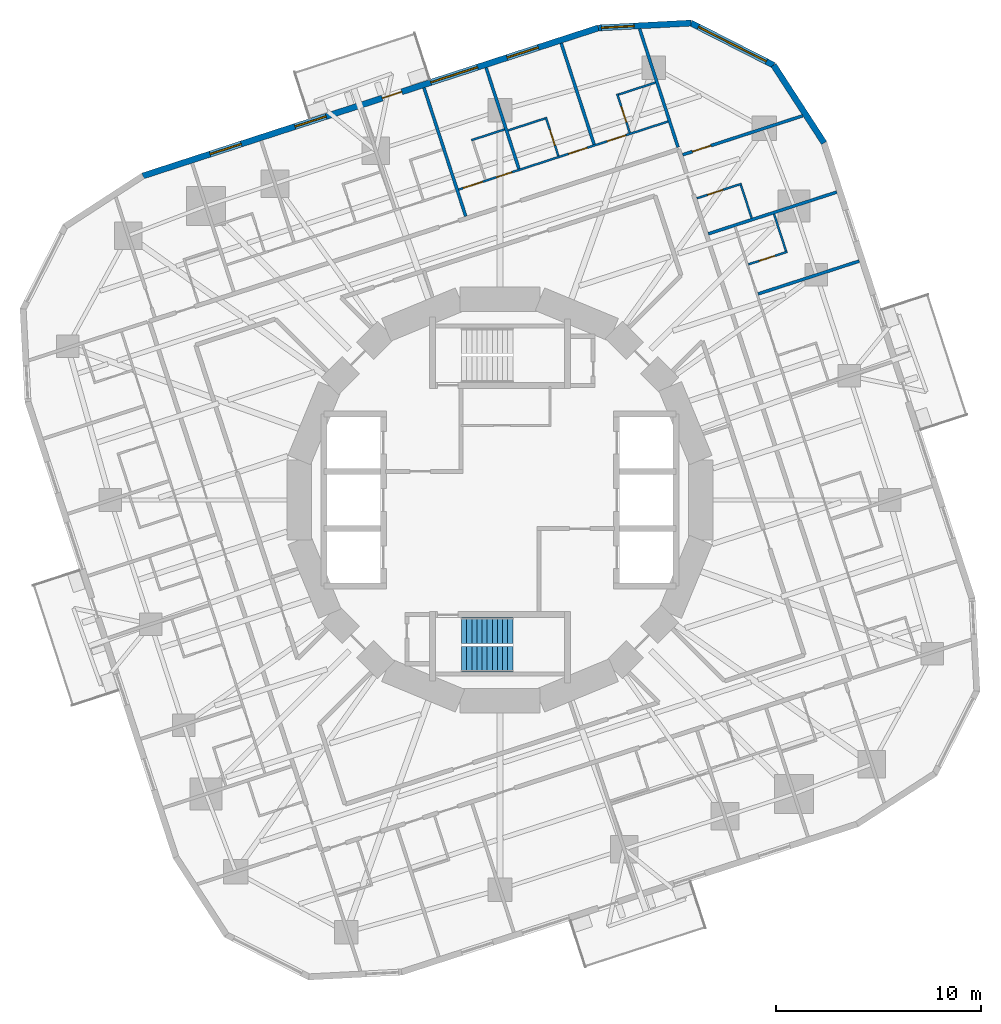
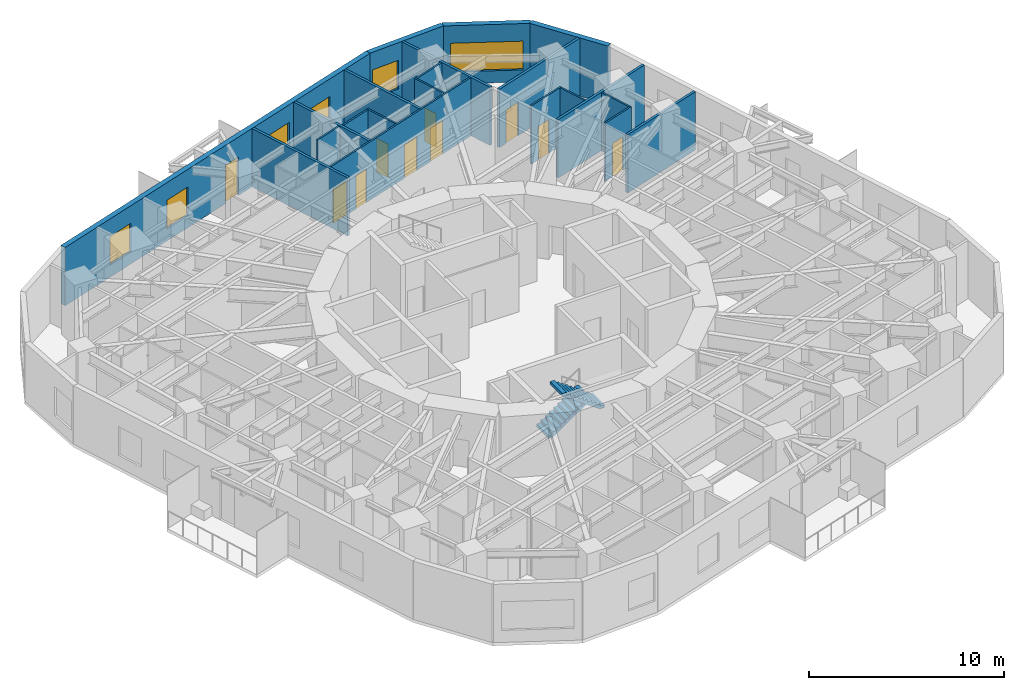
# One storey, part 10 of 13: 21 walls, 10 doors, 6 windows, 2 stair flights, 16 openings, 1 element without a shape of its own.
"""IFC4 building model written with IfcOpenShell, lengths in metres."""

from ifc_helpers import new_model, si_unit, direction, frame, frame_2d, origin, place, context, subcontext, project, spatial, polyline, rectangle, outline, extrude, material, layer, layer_set, type_object, element, fill, aggregate, save


model = new_model("IFC4")

# Units and contexts
model_context = context("Model", 3, precision=1e-05, world=origin(), true_north=direction((0.0, 1.0)))
body_context = subcontext(model_context, "Body", "Model", "MODEL_VIEW")
ifc_project = project(units=[si_unit("LENGTHUNIT", "METRE"), si_unit("AREAUNIT", "SQUARE_METRE"), si_unit("VOLUMEUNIT", "CUBIC_METRE"), si_unit("PLANEANGLEUNIT", "RADIAN"), si_unit("MASSUNIT", "GRAM", prefix="KILO")], contexts=[model_context])

# Site, building, storey
site_placement = place(None, origin())
site = spatial("IfcSite", under=ifc_project, at=site_placement, CompositionType="ELEMENT")
building_placement = place(site_placement, origin())
building = spatial("IfcBuilding", under=site, at=building_placement, Name="Nakasero Lantern House", CompositionType="ELEMENT")
storey_placement = place(building_placement, frame((0.0, 0.0, 164.89990234375)))
storey = spatial("IfcBuildingStorey", under=building, at=storey_placement, Name="L40", CompositionType="ELEMENT", Elevation=164.89990234375)

# Wall, openings, doors
ifc_material_1 = material(Name="Blockwork", Category="masonry")
ifc_layer_1 = layer(ifc_material_1, 0.10009765625)
ifc_layer_set_1 = layer_set([ifc_layer_1], Name="Cluster hall wall 100")
wall_type_1 = type_object("IfcWallType", Name="Cluster hall wall 100", PredefinedType="PARTITIONING", material=ifc_layer_set_1)
wall_1_placement = place(storey_placement, frame((8.21240234375, 18.492919921875, 0.0), z_axis=(0.0, 0.0, 1.0), x_axis=(-0.951054746376, -0.309022441572, 0.0)))
wall_1 = element("IfcWall", 1, at=wall_1_placement, inside=storey, type_object=wall_type_1, Name="Cluster hall wall L40 HW1-0", PredefinedType="PARTITIONING", context=body_context, shape_type="SweptSolid", body=[
    extrude(rectangle(XDim=10.758056640625, YDim=0.10009765625, at=frame_2d((5.37890625, 0.0))), origin(), (0.0, 0.0, 1.0), 3.650146484375),
])
opening_1_placement = place(wall_1_placement, frame((9.532958984375, 0.0, 0.0)))
opening_1 = element("IfcOpeningElement", 2, at=opening_1_placement, cuts=wall_1, Name="Opening D03", PredefinedType="OPENING", context=body_context, shape_type="SweptSolid", body=[
    extrude(rectangle(XDim=1.0, YDim=2.10009765625, at=frame_2d((0.5, 1.050048828125))), frame((0.0, 0.070068359375, 0.0), z_axis=(0.0, -1.0, 0.0), x_axis=(1.0, 0.0, 0.0)), (0.0, 0.0, 1.0), 0.14013671875),
])
opening_2_placement = place(wall_1_placement, frame((8.01904296875, 0.0, 0.0)))
opening_2 = element("IfcOpeningElement", 3, at=opening_2_placement, cuts=wall_1, Name="Opening D02", PredefinedType="OPENING", context=body_context, shape_type="SweptSolid", body=[
    extrude(rectangle(XDim=0.800048828125, YDim=2.10009765625, at=frame_2d((0.39990234375, 1.050048828125))), frame((0.0, 0.070068359375, 0.0), z_axis=(0.0, -1.0, 0.0), x_axis=(1.0, 0.0, 0.0)), (0.0, 0.0, 1.0), 0.14013671875),
])
opening_3_placement = place(wall_1_placement, frame((2.175048828125, 0.0, 0.0)))
opening_3 = element("IfcOpeningElement", 4, at=opening_3_placement, cuts=wall_1, Name="Opening D01", PredefinedType="OPENING", context=body_context, shape_type="SweptSolid", body=[
    extrude(rectangle(XDim=0.949951171875, YDim=2.10009765625, at=frame_2d((0.47509765625, 1.050048828125))), frame((0.0, 0.070068359375, 0.0), z_axis=(0.0, -1.0, 0.0), x_axis=(1.0, 0.0, 0.0)), (0.0, 0.0, 1.0), 0.14013671875),
])
opening_4_placement = place(wall_1_placement, frame((4.159423828125, 0.0, 0.0)))
opening_4 = element("IfcOpeningElement", 5, at=opening_4_placement, cuts=wall_1, Name="Opening D01", PredefinedType="OPENING", context=body_context, shape_type="SweptSolid", body=[
    extrude(rectangle(XDim=0.949951171875, YDim=2.10009765625, at=frame_2d((0.47509765625, 1.050048828125))), frame((0.0, 0.070068359375, 0.0), z_axis=(0.0, -1.0, 0.0), x_axis=(1.0, 0.0, 0.0)), (0.0, 0.0, 1.0), 0.14013671875),
])
ifc_material_2 = material(Name="Timber C24", Category="wood")
door_type_1 = type_object("IfcDoorType", Name="Bedroom door FD30S 950", OperationType="SINGLE_SWING_LEFT", PredefinedType="DOOR", material=ifc_material_2)
door_1_placement = place(opening_3_placement, origin())
door_1 = element("IfcDoor", 6, at=door_1_placement, inside=storey, type_object=door_type_1, Name="Door L40 D1-00", OperationType="SINGLE_SWING_LEFT", OverallHeight=2.10009765625, OverallWidth=0.949951171875, PredefinedType="DOOR", context=body_context, shape_type="SweptSolid", body=[
    extrude(rectangle(XDim=0.949951171875, YDim=2.10009765625, at=frame_2d((0.47509765625, 1.050048828125))), frame((0.0, 0.02490234375, 0.0), z_axis=(0.0, -1.0, 0.0), x_axis=(1.0, 0.0, 0.0)), (0.0, 0.0, 1.0), 0.050048828125),
])
fill(opening_3, door_1)
door_2_placement = place(opening_4_placement, origin())
door_2 = element("IfcDoor", 7, at=door_2_placement, inside=storey, type_object=door_type_1, Name="Door L40 D1-01", OperationType="SINGLE_SWING_LEFT", OverallHeight=2.10009765625, OverallWidth=0.949951171875, PredefinedType="DOOR", context=body_context, shape_type="SweptSolid", body=[
    extrude(rectangle(XDim=0.949951171875, YDim=2.10009765625, at=frame_2d((0.47509765625, 1.050048828125))), frame((0.0, 0.02490234375, 0.0), z_axis=(0.0, -1.0, 0.0), x_axis=(1.0, 0.0, 0.0)), (0.0, 0.0, 1.0), 0.050048828125),
])
fill(opening_4, door_2)
ifc_material_3 = material(Name="Timber C24", Category="wood")
door_type_2 = type_object("IfcDoorType", Name="En-suite door 800", OperationType="SINGLE_SWING_RIGHT", PredefinedType="DOOR", material=ifc_material_3)
door_3_placement = place(opening_2_placement, origin())
door_3 = element("IfcDoor", 8, at=door_3_placement, inside=storey, type_object=door_type_2, Name="Door L40 DSH1-0", OperationType="SINGLE_SWING_RIGHT", OverallHeight=2.10009765625, OverallWidth=0.800048828125, PredefinedType="DOOR", context=body_context, shape_type="SweptSolid", body=[
    extrude(rectangle(XDim=0.800048828125, YDim=2.10009765625, at=frame_2d((0.39990234375, 1.050048828125))), frame((0.0, 0.02490234375, 0.0), z_axis=(0.0, -1.0, 0.0), x_axis=(1.0, 0.0, 0.0)), (0.0, 0.0, 1.0), 0.050048828125),
])
fill(opening_2, door_3)
ifc_material_4 = material(Name="Timber C24", Category="wood")
door_type_3 = type_object("IfcDoorType", Name="Lounge door FD30S 1000", OperationType="SINGLE_SWING_LEFT", PredefinedType="DOOR", material=ifc_material_4)
door_4_placement = place(opening_1_placement, origin())
door_4 = element("IfcDoor", 9, at=door_4_placement, inside=storey, type_object=door_type_3, Name="Door L40 DH1-0", OperationType="SINGLE_SWING_RIGHT", OverallHeight=2.10009765625, OverallWidth=1.0, PredefinedType="DOOR", context=body_context, shape_type="SweptSolid", body=[
    extrude(rectangle(XDim=1.0, YDim=2.10009765625, at=frame_2d((0.5, 1.050048828125))), frame((0.0, 0.02490234375, 0.0), z_axis=(0.0, -1.0, 0.0), x_axis=(1.0, 0.0, 0.0)), (0.0, 0.0, 1.0), 0.050048828125),
])
fill(opening_1, door_4)

# Wall, opening, door
ifc_material_5 = material(Name="Blockwork", Category="masonry")
ifc_layer_2 = layer(ifc_material_5, 0.10009765625)
ifc_layer_set_2 = layer_set([ifc_layer_2], Name="En-suite wall 100")
wall_type_2 = type_object("IfcWallType", Name="En-suite wall 100", PredefinedType="PARTITIONING", material=ifc_layer_set_2)
wall_2_placement = place(storey_placement, frame((12.13671875, 11.51123046875, 0.0), z_axis=(0.0, 0.0, 1.0), x_axis=(0.951048418938, 0.309041914367, 0.0)))
wall_2 = element("IfcWall", 10, at=wall_2_placement, inside=storey, type_object=wall_type_2, Name="En-suite wall L40 ES0-05", PredefinedType="PARTITIONING", context=body_context, shape_type="SweptSolid", body=[
    extrude(rectangle(XDim=2.000244140625, YDim=0.10009765625, at=frame_2d((1.0, 0.0))), origin(), (0.0, 0.0, 1.0), 3.650146484375),
])
opening_5_placement = place(wall_2_placement, frame((0.550048828125, 0.0, 0.0)))
opening_5 = element("IfcOpeningElement", 11, at=opening_5_placement, cuts=wall_2, Name="Opening D02", PredefinedType="OPENING", context=body_context, shape_type="SweptSolid", body=[
    extrude(rectangle(XDim=0.800048828125, YDim=2.10009765625, at=frame_2d((0.39990234375, 1.050048828125))), frame((0.0, 0.070068359375, 0.0), z_axis=(0.0, -1.0, 0.0), x_axis=(1.0, 0.0, 0.0)), (0.0, 0.0, 1.0), 0.14013671875),
])
door_5_placement = place(opening_5_placement, origin())
door_5 = element("IfcDoor", 12, at=door_5_placement, inside=storey, type_object=door_type_2, Name="Door L40 DE0-05", OperationType="SINGLE_SWING_LEFT", OverallHeight=2.10009765625, OverallWidth=0.800048828125, PredefinedType="DOOR", context=body_context, shape_type="SweptSolid", body=[
    extrude(rectangle(XDim=0.800048828125, YDim=2.10009765625, at=frame_2d((0.39990234375, 1.050048828125))), frame((0.0, 0.02490234375, 0.0), z_axis=(0.0, -1.0, 0.0), x_axis=(1.0, 0.0, 0.0)), (0.0, 0.0, 1.0), 0.050048828125),
])
fill(opening_5, door_5)

# Wall
wall_3_placement = place(storey_placement, frame((13.975830078125, 12.161376953125, 0.0), z_axis=(0.0, 0.0, 1.0), x_axis=(-0.308894308917, 0.951096370469, 0.0)))
element("IfcWall", 13, at=wall_3_placement, inside=storey, type_object=wall_type_2, Name="En-suite wall L40 EE0-05", PredefinedType="PARTITIONING", context=body_context, shape_type="SweptSolid", body=[
    extrude(rectangle(XDim=1.900146484375, YDim=0.10009765625, at=frame_2d((0.9501953125, 0.0))), origin(), (0.0, 0.0, 1.0), 3.650146484375),
])

# Wall, opening, door
wall_4_placement = place(storey_placement, frame((9.61572265625, 14.740234375, 0.0), z_axis=(0.0, 0.0, 1.0), x_axis=(0.951055129775, 0.309021261611, 0.0)))
wall_4 = element("IfcWall", 14, at=wall_4_placement, inside=storey, type_object=wall_type_2, Name="En-suite wall L40 ES0-06", PredefinedType="PARTITIONING", context=body_context, shape_type="SweptSolid", body=[
    extrude(rectangle(XDim=2.2998046875, YDim=0.10009765625, at=frame_2d((1.14990234375, 0.0))), origin(), (0.0, 0.0, 1.0), 3.650146484375),
])
opening_6_placement = place(wall_4_placement, frame((0.550048828125, 0.0, 0.0)))
opening_6 = element("IfcOpeningElement", 15, at=opening_6_placement, cuts=wall_4, Name="Opening D02", PredefinedType="OPENING", context=body_context, shape_type="SweptSolid", body=[
    extrude(rectangle(XDim=0.800048828125, YDim=2.10009765625, at=frame_2d((0.39990234375, 1.050048828125))), frame((0.0, 0.070068359375, 0.0), z_axis=(0.0, -1.0, 0.0), x_axis=(1.0, 0.0, 0.0)), (0.0, 0.0, 1.0), 0.14013671875),
])
door_6_placement = place(opening_6_placement, origin())
door_6 = element("IfcDoor", 16, at=door_6_placement, inside=storey, type_object=door_type_2, Name="Door L40 DE0-06", OperationType="SINGLE_SWING_LEFT", OverallHeight=2.10009765625, OverallWidth=0.800048828125, PredefinedType="DOOR", context=body_context, shape_type="SweptSolid", body=[
    extrude(rectangle(XDim=0.800048828125, YDim=2.10009765625, at=frame_2d((0.39990234375, 1.050048828125))), frame((0.0, 0.02490234375, 0.0), z_axis=(0.0, -1.0, 0.0), x_axis=(1.0, 0.0, 0.0)), (0.0, 0.0, 1.0), 0.050048828125),
])
fill(opening_6, door_6)

# Walls
for number, where, z_axis, x_axis, name in (
    (17, (12.29638671875, 13.771240234375, 0.0), (0.0, 0.0, 1.0), (-0.309066587596, 0.951040401051, 0.0), "En-suite wall L40 EE0-06"),
    (18, (0.22216796875, 18.104736328125, 0.0), (0.0, 0.0, 1.0), (-0.951040401051, -0.309066587596, 0.0), "En-suite wall L40 SE1-0"),
):
    element("IfcWall", number, at=place(storey_placement, frame(where, z_axis=z_axis, x_axis=x_axis)), inside=storey, type_object=wall_type_2, Name=name, PredefinedType="PARTITIONING", context=body_context, shape_type="SweptSolid", body=[
        extrude(rectangle(XDim=1.699951171875, YDim=0.10009765625, at=frame_2d((0.85009765625, 0.0))), origin(), (0.0, 0.0, 1.0), 3.650146484375),
    ])

# Wall, opening, door
wall_5_placement = place(storey_placement, frame((6.34228515625, 17.937744140625, 0.0), z_axis=(0.0, 0.0, 1.0), x_axis=(-0.308967378027, 0.951072636193, 0.0)))
wall_5 = element("IfcWall", 19, at=wall_5_placement, inside=storey, type_object=wall_type_2, Name="En-suite wall L40 ES1-00", PredefinedType="PARTITIONING", context=body_context, shape_type="SweptSolid", body=[
    extrude(rectangle(XDim=2.0, YDim=0.10009765625, at=frame_2d((1.0, 0.0))), origin(), (0.0, 0.0, 1.0), 3.650146484375),
])
opening_7_placement = place(wall_5_placement, frame((0.550048828125, 0.0, 0.0)))
opening_7 = element("IfcOpeningElement", 20, at=opening_7_placement, cuts=wall_5, Name="Opening D02", PredefinedType="OPENING", context=body_context, shape_type="SweptSolid", body=[
    extrude(rectangle(XDim=0.800048828125, YDim=2.10009765625, at=frame_2d((0.39990234375, 1.050048828125))), frame((0.0, 0.070068359375, 0.0), z_axis=(0.0, -1.0, 0.0), x_axis=(1.0, 0.0, 0.0)), (0.0, 0.0, 1.0), 0.14013671875),
])
door_7_placement = place(opening_7_placement, origin())
door_7 = element("IfcDoor", 21, at=door_7_placement, inside=storey, type_object=door_type_2, Name="Door L40 DE1-00", OperationType="SINGLE_SWING_LEFT", OverallHeight=2.10009765625, OverallWidth=0.800048828125, PredefinedType="DOOR", context=body_context, shape_type="SweptSolid", body=[
    extrude(rectangle(XDim=0.800048828125, YDim=2.10009765625, at=frame_2d((0.39990234375, 1.050048828125))), frame((0.0, 0.02490234375, 0.0), z_axis=(0.0, -1.0, 0.0), x_axis=(1.0, 0.0, 0.0)), (0.0, 0.0, 1.0), 0.050048828125),
])
fill(opening_7, door_7)

# Wall
wall_6_placement = place(storey_placement, frame((7.59423828125, 20.39501953125, 0.0), z_axis=(0.0, 0.0, 1.0), x_axis=(-0.951046344356, -0.309048298632, 0.0)))
element("IfcWall", 22, at=wall_6_placement, inside=storey, type_object=wall_type_2, Name="En-suite wall L40 EE1-00", PredefinedType="PARTITIONING", context=body_context, shape_type="SweptSolid", body=[
    extrude(rectangle(XDim=1.89990234375, YDim=0.10009765625, at=frame_2d((0.949951171875, 0.0))), origin(), (0.0, 0.0, 1.0), 3.650146484375),
])

# Wall, opening, door
wall_7_placement = place(storey_placement, frame((2.85302734375, 16.803955078125, 0.0), z_axis=(0.0, 0.0, 1.0), x_axis=(-0.309077791808, 0.951036759863, 0.0)))
wall_7 = element("IfcWall", 23, at=wall_7_placement, inside=storey, type_object=wall_type_2, Name="En-suite wall L40 ES1-01", PredefinedType="PARTITIONING", context=body_context, shape_type="SweptSolid", body=[
    extrude(rectangle(XDim=2.0, YDim=0.10009765625, at=frame_2d((1.0, 0.0))), origin(), (0.0, 0.0, 1.0), 3.650146484375),
])
opening_8_placement = place(wall_7_placement, frame((0.550048828125, 0.0, 0.0)))
opening_8 = element("IfcOpeningElement", 24, at=opening_8_placement, cuts=wall_7, Name="Opening D02", PredefinedType="OPENING", context=body_context, shape_type="SweptSolid", body=[
    extrude(rectangle(XDim=0.800048828125, YDim=2.10009765625, at=frame_2d((0.39990234375, 1.050048828125))), frame((0.0, 0.070068359375, 0.0), z_axis=(0.0, -1.0, 0.0), x_axis=(1.0, 0.0, 0.0)), (0.0, 0.0, 1.0), 0.14013671875),
])
door_8_placement = place(opening_8_placement, origin())
door_8 = element("IfcDoor", 25, at=door_8_placement, inside=storey, type_object=door_type_2, Name="Door L40 DE1-01", OperationType="SINGLE_SWING_LEFT", OverallHeight=2.10009765625, OverallWidth=0.800048828125, PredefinedType="DOOR", context=body_context, shape_type="SweptSolid", body=[
    extrude(rectangle(XDim=0.800048828125, YDim=2.10009765625, at=frame_2d((0.39990234375, 1.050048828125))), frame((0.0, 0.02490234375, 0.0), z_axis=(0.0, -1.0, 0.0), x_axis=(1.0, 0.0, 0.0)), (0.0, 0.0, 1.0), 0.050048828125),
])
fill(opening_8, door_8)

# Walls
wall_8_placement = place(storey_placement, frame((2.202880859375, 18.64306640625, 0.0), z_axis=(0.0, 0.0, 1.0), x_axis=(-0.951096370469, -0.308894308917, 0.0)))
element("IfcWall", 26, at=wall_8_placement, inside=storey, type_object=wall_type_2, Name="En-suite wall L40 EE1-01", PredefinedType="PARTITIONING", context=body_context, shape_type="SweptSolid", body=[
    extrude(rectangle(XDim=1.900146484375, YDim=0.10009765625, at=frame_2d((0.9501953125, 0.0))), origin(), (0.0, 0.0, 1.0), 3.650146484375),
])
ifc_material_6 = material(Name="Aluminium rainscreen on blockwork", Category="masonry")
ifc_layer_3 = layer(ifc_material_6, 0.300048828125)
ifc_layer_set_3 = layer_set([ifc_layer_3], Name="Facade wall 300")
wall_type_3 = type_object("IfcWallType", Name="Facade wall 300", PredefinedType="SOLIDWALL", material=ifc_layer_set_3)
wall_9_placement = place(storey_placement, frame((15.83349609375, 17.44677734375, 0.0), z_axis=(0.0, 0.0, 1.0), x_axis=(-0.544634002266, 0.838673836229, 0.0)))
element("IfcWall", 27, at=wall_9_placement, inside=storey, type_object=wall_type_3, Name="Facade wall L40 FW0C1", PredefinedType="SOLIDWALL", context=body_context, shape_type="SweptSolid", body=[
    extrude(rectangle(XDim=4.529296875, YDim=0.300048828125, at=frame_2d((2.2646484375, 0.0))), origin(), (0.0, 0.0, 1.0), 3.650146484375),
])

# Wall, opening, window
wall_10_placement = place(storey_placement, frame((13.36669921875, 21.245361328125, 0.0), z_axis=(0.0, 0.0, 1.0), x_axis=(-0.890994655705, 0.454013792196, 0.0)))
wall_10 = element("IfcWall", 28, at=wall_10_placement, inside=storey, type_object=wall_type_3, Name="Facade wall L40 FW0C2", PredefinedType="SOLIDWALL", context=body_context, shape_type="SweptSolid", body=[
    extrude(rectangle(XDim=4.529296875, YDim=0.300048828125, at=frame_2d((2.2646484375, 0.0))), origin(), (0.0, 0.0, 1.0), 3.650146484375),
])
opening_9_placement = place(wall_10_placement, frame((0.39990234375, 0.0, 0.75)))
opening_9 = element("IfcOpeningElement", 29, at=opening_9_placement, cuts=wall_10, Name="Opening W237A", PredefinedType="OPENING", context=body_context, shape_type="SweptSolid", body=[
    extrude(rectangle(XDim=3.72900390625, YDim=1.800048828125, at=frame_2d((1.864501953125, 0.89990234375))), frame((0.0, 0.169921875, 0.0), z_axis=(0.0, -1.0, 0.0), x_axis=(1.0, 0.0, 0.0)), (0.0, 0.0, 1.0), 0.340087890625),
])
ifc_material_7 = material(Name="Aluminium 6063-T6 and glass", Category="aluminium")
window_type_1 = type_object("IfcWindowType", Name="Corner window 3729x1800", PartitioningType="SINGLE_PANEL", PredefinedType="WINDOW", material=ifc_material_7)
window_1_placement = place(opening_9_placement, origin())
window_1 = element("IfcWindow", 30, at=window_1_placement, inside=storey, type_object=window_type_1, Name="Window L40 WC0", OverallHeight=1.800048828125, OverallWidth=3.72900390625, PartitioningType="SINGLE_PANEL", PredefinedType="WINDOW", context=body_context, shape_type="SweptSolid", body=[
    extrude(rectangle(XDim=3.72900390625, YDim=1.800048828125, at=frame_2d((1.864501953125, 0.89990234375))), frame((0.0, 0.030029296875, 0.0), z_axis=(0.0, -1.0, 0.0), x_axis=(1.0, 0.0, 0.0)), (0.0, 0.0, 1.0), 0.06005859375),
])
fill(opening_9, window_1)

wall_11_placement = place(storey_placement, frame((9.3310546875, 23.3017578125, 0.0), z_axis=(0.0, 0.0, 1.0), x_axis=(-0.998629419044, -0.052338164079, 0.0)))
wall_11 = element("IfcWall", 31, at=wall_11_placement, inside=storey, type_object=wall_type_3, Name="Facade wall L40 FW0C3", PredefinedType="SOLIDWALL", context=body_context, shape_type="SweptSolid", body=[
    extrude(rectangle(XDim=4.529296875, YDim=0.300048828125, at=frame_2d((2.2646484375, 0.0))), origin(), (0.0, 0.0, 1.0), 3.650146484375),
])
opening_10_placement = place(wall_11_placement, frame((2.784912109375, 0.0, 0.75)))
opening_10 = element("IfcOpeningElement", 32, at=opening_10_placement, cuts=wall_11, Name="Opening W01", PredefinedType="OPENING", context=body_context, shape_type="SweptSolid", body=[
    extrude(rectangle(XDim=1.60009765625, YDim=1.800048828125, at=frame_2d((0.800048828125, 0.89990234375))), frame((0.0, 0.169921875, 0.0), z_axis=(0.0, -1.0, 0.0), x_axis=(1.0, 0.0, 0.0)), (0.0, 0.0, 1.0), 0.340087890625),
])
ifc_material_8 = material(Name="Aluminium 6063-T6 and glass", Category="aluminium")
window_type_2 = type_object("IfcWindowType", Name="Bedroom window 1600x1800", PartitioningType="SINGLE_PANEL", PredefinedType="WINDOW", material=ifc_material_8)
window_2_placement = place(opening_10_placement, origin())
window_2 = element("IfcWindow", 33, at=window_2_placement, inside=storey, type_object=window_type_2, Name="Window L40 WN1-00", OverallHeight=1.800048828125, OverallWidth=1.60009765625, PartitioningType="SINGLE_PANEL", PredefinedType="WINDOW", context=body_context, shape_type="SweptSolid", body=[
    extrude(rectangle(XDim=1.60009765625, YDim=1.800048828125, at=frame_2d((0.800048828125, 0.89990234375))), frame((0.0, 0.030029296875, 0.0), z_axis=(0.0, -1.0, 0.0), x_axis=(1.0, 0.0, 0.0)), (0.0, 0.0, 1.0), 0.06005859375),
])
fill(opening_10, window_2)

# Wall, openings, door, windows
wall_12_placement = place(storey_placement, frame((4.807861328125, 23.064697265625, 0.0), z_axis=(0.0, 0.0, 1.0), x_axis=(-0.951053618334, -0.30902591324, 0.0)))
wall_12 = element("IfcWall", 34, at=wall_12_placement, inside=storey, type_object=wall_type_3, Name="Facade wall L40 FW1S", PredefinedType="SOLIDWALL", context=body_context, shape_type="SweptSolid", body=[
    extrude(rectangle(XDim=23.39990234375, YDim=0.300048828125, at=frame_2d((11.699951171875, 0.0))), origin(), (0.0, 0.0, 1.0), 3.650146484375),
])
opening_11_placement = place(wall_12_placement, frame((3.089111328125, 0.0, 0.75)))
opening_11 = element("IfcOpeningElement", 35, at=opening_11_placement, cuts=wall_12, Name="Opening W01", PredefinedType="OPENING", context=body_context, shape_type="SweptSolid", body=[
    extrude(rectangle(XDim=1.60009765625, YDim=1.800048828125, at=frame_2d((0.800048828125, 0.89990234375))), frame((0.0, 0.169921875, 0.0), z_axis=(0.0, -1.0, 0.0), x_axis=(1.0, 0.0, 0.0)), (0.0, 0.0, 1.0), 0.340087890625),
])
opening_12_placement = place(wall_12_placement, frame((13.987548828125, 0.0, 0.75)))
opening_12 = element("IfcOpeningElement", 36, at=opening_12_placement, cuts=wall_12, Name="Opening W01", PredefinedType="OPENING", context=body_context, shape_type="SweptSolid", body=[
    extrude(rectangle(XDim=1.60009765625, YDim=1.800048828125, at=frame_2d((0.800048828125, 0.89990234375))), frame((0.0, 0.169921875, 0.0), z_axis=(0.0, -1.0, 0.0), x_axis=(1.0, 0.0, 0.0)), (0.0, 0.0, 1.0), 0.340087890625),
])
opening_13_placement = place(wall_12_placement, frame((18.350341796875, 0.0, 0.75)))
opening_13 = element("IfcOpeningElement", 37, at=opening_13_placement, cuts=wall_12, Name="Opening W01", PredefinedType="OPENING", context=body_context, shape_type="SweptSolid", body=[
    extrude(rectangle(XDim=1.60009765625, YDim=1.800048828125, at=frame_2d((0.800048828125, 0.89990234375))), frame((0.0, 0.169921875, 0.0), z_axis=(0.0, -1.0, 0.0), x_axis=(1.0, 0.0, 0.0)), (0.0, 0.0, 1.0), 0.340087890625),
])
opening_14_placement = place(wall_12_placement, frame((6.21337890625, 0.0, 0.75)))
opening_14 = element("IfcOpeningElement", 38, at=opening_14_placement, cuts=wall_12, Name="Opening W03", PredefinedType="OPENING", context=body_context, shape_type="SweptSolid", body=[
    extrude(rectangle(XDim=2.39990234375, YDim=1.800048828125, at=frame_2d((1.199951171875, 0.89990234375))), frame((0.0, 0.169921875, 0.0), z_axis=(0.0, -1.0, 0.0), x_axis=(1.0, 0.0, 0.0)), (0.0, 0.0, 1.0), 0.340087890625),
])
opening_15_placement = place(wall_12_placement, frame((10.1025390625, 0.0, 0.0)))
opening_15 = element("IfcOpeningElement", 39, at=opening_15_placement, cuts=wall_12, Name="Opening D04", PredefinedType="OPENING", context=body_context, shape_type="SweptSolid", body=[
    extrude(rectangle(XDim=1.0, YDim=2.39990234375, at=frame_2d((0.5, 1.199951171875))), frame((0.0, 0.169921875, 0.0), z_axis=(0.0, -1.0, 0.0), x_axis=(1.0, 0.0, 0.0)), (0.0, 0.0, 1.0), 0.340087890625),
])
ifc_material_9 = material(Name="Aluminium 6063-T6 and glass", Category="aluminium")
door_type_4 = type_object("IfcDoorType", Name="Balcony door 1000x2400", OperationType="SINGLE_SWING_RIGHT", PredefinedType="DOOR", material=ifc_material_9)
door_9_placement = place(opening_15_placement, origin())
door_9 = element("IfcDoor", 40, at=door_9_placement, inside=storey, type_object=door_type_4, Name="Balcony door L40 DB1", OperationType="SINGLE_SWING_RIGHT", OverallHeight=2.39990234375, OverallWidth=1.0, PredefinedType="DOOR", context=body_context, shape_type="SweptSolid", body=[
    extrude(rectangle(XDim=1.0, YDim=2.39990234375, at=frame_2d((0.5, 1.199951171875))), frame((0.0, 0.02490234375, 0.0), z_axis=(0.0, -1.0, 0.0), x_axis=(1.0, 0.0, 0.0)), (0.0, 0.0, 1.0), 0.050048828125),
])
fill(opening_15, door_9)
window_3_placement = place(opening_11_placement, origin())
window_3 = element("IfcWindow", 41, at=window_3_placement, inside=storey, type_object=window_type_2, Name="Window L40 WN1-01", OverallHeight=1.800048828125, OverallWidth=1.60009765625, PartitioningType="SINGLE_PANEL", PredefinedType="WINDOW", context=body_context, shape_type="SweptSolid", body=[
    extrude(rectangle(XDim=1.60009765625, YDim=1.800048828125, at=frame_2d((0.800048828125, 0.89990234375))), frame((0.0, 0.030029296875, 0.0), z_axis=(0.0, -1.0, 0.0), x_axis=(1.0, 0.0, 0.0)), (0.0, 0.0, 1.0), 0.06005859375),
])
fill(opening_11, window_3)
window_4_placement = place(opening_12_placement, origin())
window_4 = element("IfcWindow", 42, at=window_4_placement, inside=storey, type_object=window_type_2, Name="Window L40 WN1-04", OverallHeight=1.800048828125, OverallWidth=1.60009765625, PartitioningType="SINGLE_PANEL", PredefinedType="WINDOW", context=body_context, shape_type="SweptSolid", body=[
    extrude(rectangle(XDim=1.60009765625, YDim=1.800048828125, at=frame_2d((0.800048828125, 0.89990234375))), frame((0.0, 0.030029296875, 0.0), z_axis=(0.0, -1.0, 0.0), x_axis=(1.0, 0.0, 0.0)), (0.0, 0.0, 1.0), 0.06005859375),
])
fill(opening_12, window_4)
window_5_placement = place(opening_13_placement, origin())
window_5 = element("IfcWindow", 43, at=window_5_placement, inside=storey, type_object=window_type_2, Name="Window L40 WN1-05", OverallHeight=1.800048828125, OverallWidth=1.60009765625, PartitioningType="SINGLE_PANEL", PredefinedType="WINDOW", context=body_context, shape_type="SweptSolid", body=[
    extrude(rectangle(XDim=1.60009765625, YDim=1.800048828125, at=frame_2d((0.800048828125, 0.89990234375))), frame((0.0, 0.030029296875, 0.0), z_axis=(0.0, -1.0, 0.0), x_axis=(1.0, 0.0, 0.0)), (0.0, 0.0, 1.0), 0.06005859375),
])
fill(opening_13, window_5)
ifc_material_10 = material(Name="Aluminium 6063-T6 and glass", Category="aluminium")
window_type_3 = type_object("IfcWindowType", Name="Lounge window 2400x1800", PartitioningType="SINGLE_PANEL", PredefinedType="WINDOW", material=ifc_material_10)
window_6_placement = place(opening_14_placement, origin())
window_6 = element("IfcWindow", 44, at=window_6_placement, inside=storey, type_object=window_type_3, Name="Window L40 WK1", OverallHeight=1.800048828125, OverallWidth=2.39990234375, PartitioningType="SINGLE_PANEL", PredefinedType="WINDOW", context=body_context, shape_type="SweptSolid", body=[
    extrude(rectangle(XDim=2.39990234375, YDim=1.800048828125, at=frame_2d((1.199951171875, 0.89990234375))), frame((0.0, 0.030029296875, 0.0), z_axis=(0.0, -1.0, 0.0), x_axis=(1.0, 0.0, 0.0)), (0.0, 0.0, 1.0), 0.06005859375),
])
fill(opening_14, window_6)

# Walls
ifc_material_11 = material(Name="Blockwork", Category="masonry")
ifc_layer_4 = layer(ifc_material_11, 0.14990234375)
ifc_layer_set_4 = layer_set([ifc_layer_4], Name="Party wall 150")
wall_type_4 = type_object("IfcWallType", Name="Party wall 150", PredefinedType="PARTITIONING", material=ifc_layer_set_4)
wall_13_placement = place(storey_placement, frame((12.606201171875, 10.06640625, 0.0), z_axis=(0.0, 0.0, 1.0), x_axis=(0.951055112834, 0.309021313752, 0.0)))
element("IfcWall", 45, at=wall_13_placement, inside=storey, type_object=wall_type_4, Name="Party wall L40 PW0-05", PredefinedType="PARTITIONING", context=body_context, shape_type="SweptSolid", body=[
    extrude(rectangle(XDim=5.2001953125, YDim=0.14990234375, at=frame_2d((2.60009765625, 0.0))), origin(), (0.0, 0.0, 1.0), 3.650146484375),
])
wall_14_placement = place(storey_placement, frame((10.1796875, 13.004638671875, 0.0), z_axis=(0.0, 0.0, 1.0), x_axis=(0.951053095941, 0.309027520945, 0.0)))
element("IfcWall", 46, at=wall_14_placement, inside=storey, type_object=wall_type_4, Name="Party wall L40 PW0-06", PredefinedType="PARTITIONING", context=body_context, shape_type="SweptSolid", body=[
    extrude(rectangle(XDim=6.599853515625, YDim=0.14990234375, at=frame_2d((3.2998046875, 0.0))), origin(), (0.0, 0.0, 1.0), 3.650146484375),
])

# Wall, opening, door
wall_15_placement = place(storey_placement, frame((8.9248046875, 16.8662109375, 0.0), z_axis=(0.0, 0.0, 1.0), x_axis=(0.951051818488, 0.309031452366, 0.0)))
wall_15 = element("IfcWall", 47, at=wall_15_placement, inside=storey, type_object=wall_type_4, Name="Party wall L40 PC0", PredefinedType="PARTITIONING", context=body_context, shape_type="SweptSolid", body=[
    extrude(rectangle(XDim=6.165283203125, YDim=0.14990234375, at=frame_2d((3.08251953125, 0.0))), origin(), (0.0, 0.0, 1.0), 3.650146484375),
])
opening_16_placement = place(wall_15_placement, frame((0.5, 0.0, 0.0)))
opening_16 = element("IfcOpeningElement", 48, at=opening_16_placement, cuts=wall_15, Name="Opening D01", PredefinedType="OPENING", context=body_context, shape_type="SweptSolid", body=[
    extrude(rectangle(XDim=0.949951171875, YDim=2.10009765625, at=frame_2d((0.47509765625, 1.050048828125))), frame((0.0, 0.094970703125, 0.0), z_axis=(0.0, -1.0, 0.0), x_axis=(1.0, 0.0, 0.0)), (0.0, 0.0, 1.0), 0.18994140625),
])
door_10_placement = place(opening_16_placement, origin())
door_10 = element("IfcDoor", 49, at=door_10_placement, inside=storey, type_object=door_type_1, Name="Door L40 DC0", OperationType="SINGLE_SWING_LEFT", OverallHeight=2.10009765625, OverallWidth=0.949951171875, PredefinedType="DOOR", context=body_context, shape_type="SweptSolid", body=[
    extrude(rectangle(XDim=0.949951171875, YDim=2.10009765625, at=frame_2d((0.47509765625, 1.050048828125))), frame((0.0, 0.02490234375, 0.0), z_axis=(0.0, -1.0, 0.0), x_axis=(1.0, 0.0, 0.0)), (0.0, 0.0, 1.0), 0.050048828125),
])
fill(opening_16, door_10)

# Walls
wall_16_placement = place(storey_placement, frame((8.700927734375, 17.232177734375, 0.0), z_axis=(0.0, 0.0, 1.0), x_axis=(-0.309015253813, 0.951057081836, 0.0)))
element("IfcWall", 50, at=wall_16_placement, inside=storey, type_object=wall_type_4, Name="Party wall L40 PW1-00", PredefinedType="PARTITIONING", context=body_context, shape_type="SweptSolid", body=[
    extrude(rectangle(XDim=6.080322265625, YDim=0.14990234375, at=frame_2d((3.0400390625, 0.0))), origin(), (0.0, 0.0, 1.0), 3.650146484375),
])
for number, where, z_axis, x_axis, name in (
    (51, (4.59765625, 17.370849609375, 0.0), (0.0, 0.0, 1.0), (-0.309021313752, 0.951055112834, 0.0), "Party wall L40 PW1-01"),
    (52, (0.927001953125, 16.17822265625, 0.0), (0.0, 0.0, 1.0), (-0.309021313752, 0.951055112834, 0.0), "Party wall L40 PW1-02"),
):
    element("IfcWall", number, at=place(storey_placement, frame(where, z_axis=z_axis, x_axis=x_axis)), inside=storey, type_object=wall_type_4, Name=name, PredefinedType="PARTITIONING", context=body_context, shape_type="SweptSolid", body=[
        extrude(rectangle(XDim=5.2001953125, YDim=0.14990234375, at=frame_2d((2.60009765625, 0.0))), origin(), (0.0, 0.0, 1.0), 3.650146484375),
    ])
wall_17_placement = place(storey_placement, frame((-1.67333984375, 13.861328125, 0.0), z_axis=(0.0, 0.0, 1.0), x_axis=(-0.309016649428, 0.951056628375, 0.0)))
element("IfcWall", 53, at=wall_17_placement, inside=storey, type_object=wall_type_4, Name="Party wall L40 PW1-03", PredefinedType="PARTITIONING", context=body_context, shape_type="SweptSolid", body=[
    extrude(rectangle(XDim=6.60009765625, YDim=0.14990234375, at=frame_2d((3.300048828125, 0.0))), origin(), (0.0, 0.0, 1.0), 3.650146484375),
])

# Stair, stair flights
ifc_material_12 = material(Name="Concrete C40/50", Category="concrete")
stair_type = type_object("IfcStairType", Name="Escape stair ST2 22 risers", PredefinedType="HALF_TURN_STAIR", material=ifc_material_12)
stair_placement = place(storey_placement, origin())
stair = element("IfcStair", 54, at=stair_placement, inside=storey, type_object=stair_type, Name="Escape stair ST2 L40", PredefinedType="HALF_TURN_STAIR")
ifc_material_13 = material(Name="Concrete C40/50", Category="concrete")
stair_flight_type = type_object("IfcStairFlightType", Name="Escape stair flight", PredefinedType="STRAIGHT", material=ifc_material_13)
stair_flight_1_placement = place(storey_placement, frame((-1.875, -6.375, 0.0), z_axis=(0.0, 0.0, 1.0), x_axis=(1.0, 0.0, 0.0)))
stair_flight_1 = element("IfcStairFlight", 55, at=stair_flight_1_placement, type_object=stair_flight_type, Name="ST2 flight 1", NumberOfRisers=11, NumberOfTreads=10, PredefinedType="STRAIGHT", RiserHeight=0.175, TreadLength=0.25, context=body_context, shape_type="SweptSolid", body=[
    extrude(outline(polyline([(0.0, 0.0), (0.0, 0.175048828125), (0.25, 0.175048828125), (0.25, 0.35009765625), (0.5, 0.35009765625), (0.5, 0.52490234375), (0.75, 0.52490234375), (0.75, 0.699951171875), (1.0, 0.699951171875), (1.0, 0.875), (1.25, 0.875), (1.25, 1.050048828125), (1.5, 1.050048828125), (1.5, 1.22509765625), (1.75, 1.22509765625), (1.75, 1.39990234375), (2.0, 1.39990234375), (2.0, 1.574951171875), (2.25, 1.574951171875), (2.25, 1.75), (2.5, 1.75), (2.5, 1.925048828125), (2.5, 1.567138671875), (0.261474609375, 0.0), (0.0, 0.0)])), frame((0.0, 0.625, 0.0), z_axis=(0.0, -1.0, 0.0), x_axis=(1.0, 0.0, 0.0)), (0.0, 0.0, 1.0), 1.25),
])
stair_flight_2_placement = place(storey_placement, frame((0.625, -7.77490234375, 1.925048828125), z_axis=(0.0, 0.0, 1.0), x_axis=(-1.0, 0.0, 0.0)))
stair_flight_2 = element("IfcStairFlight", 56, at=stair_flight_2_placement, type_object=stair_flight_type, Name="ST2 flight 2", NumberOfRisers=11, NumberOfTreads=10, PredefinedType="STRAIGHT", RiserHeight=0.175, TreadLength=0.25, context=body_context, shape_type="SweptSolid", body=[
    extrude(outline(polyline([(0.0, 0.0), (0.0, 0.175048828125), (0.25, 0.175048828125), (0.25, 0.35009765625), (0.5, 0.35009765625), (0.5, 0.52490234375), (0.75, 0.52490234375), (0.75, 0.699951171875), (1.0, 0.699951171875), (1.0, 0.875), (1.25, 0.875), (1.25, 1.050048828125), (1.5, 1.050048828125), (1.5, 1.22509765625), (1.75, 1.22509765625), (1.75, 1.39990234375), (2.0, 1.39990234375), (2.0, 1.574951171875), (2.25, 1.574951171875), (2.25, 1.75), (2.5, 1.75), (2.5, 1.925048828125), (2.5, 1.567138671875), (0.261474609375, 0.0), (0.0, 0.0)])), frame((0.0, 0.625, 0.0), z_axis=(0.0, -1.0, 0.0), x_axis=(1.0, 0.0, 0.0)), (0.0, 0.0, 1.0), 1.25),
])
aggregate(stair, [stair_flight_1, stair_flight_2])

save(model, "model.ifc")
